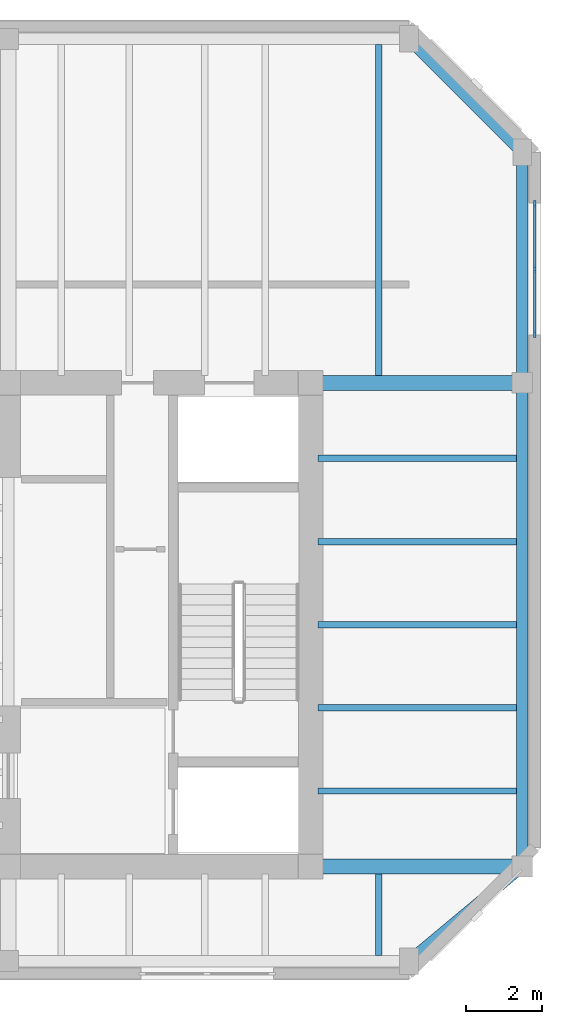
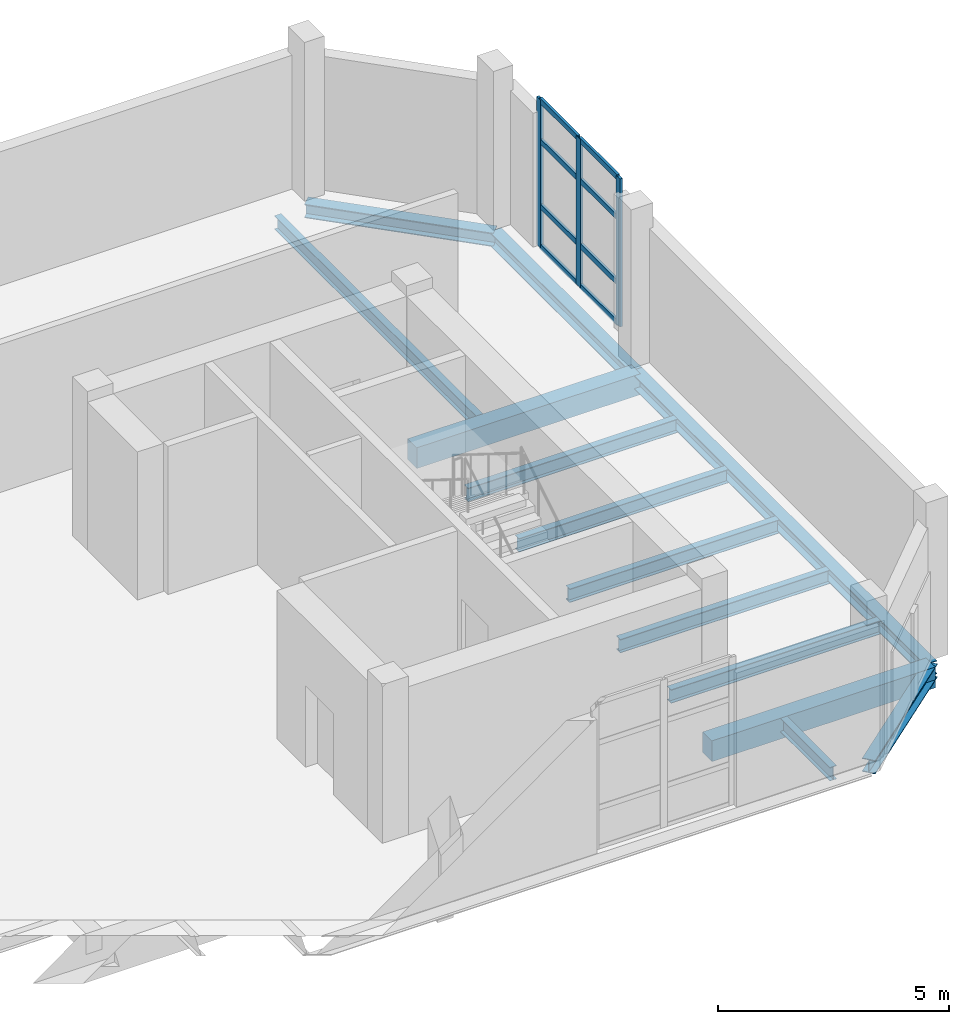
# One storey, part 4 of 8: 13 beams, 11 members, 1 element without a shape of its own.
"""IFC4 building model written with IfcOpenShell, lengths in metres."""

from ifc_helpers import new_model, si_unit, direction, frame, origin, origin_2d, place, context, subcontext, project, spatial, rectangle, i_section, extrude, material, layer, layer_set, material_profile, profile_set, type_object, element, aggregate, save


model = new_model("IFC4")

# Units and contexts
model_context = context("Model", 3, precision=1e-05, world=origin(), true_north=direction((0.0, 1.0)))
body_context = subcontext(model_context, "Body", "Model", "MODEL_VIEW")
ifc_project = project(units=[si_unit("LENGTHUNIT", "METRE"), si_unit("AREAUNIT", "SQUARE_METRE"), si_unit("VOLUMEUNIT", "CUBIC_METRE"), si_unit("PLANEANGLEUNIT", "RADIAN"), si_unit("MASSUNIT", "GRAM", prefix="KILO")], contexts=[model_context])

# Site, building, storey
site_placement = place(None, origin())
site = spatial("IfcSite", under=ifc_project, at=site_placement, CompositionType="ELEMENT")
building_placement = place(site_placement, origin())
building = spatial("IfcBuilding", under=site, at=building_placement, Name="Kranthara Brick Stack", CompositionType="ELEMENT")
storey_placement = place(building_placement, frame((0.0, 0.0, 300.60009765625)))
storey = spatial("IfcBuildingStorey", under=building, at=storey_placement, Name="L79", CompositionType="ELEMENT", Elevation=300.60009765625)

# Beams
ifc_material_1 = material(Name="Post-tensioned concrete C45/55", Category="concrete")
ifc_material_profile_1 = material_profile(ifc_material_1, rectangle(XDim=0.39990234375, YDim=0.550048828125, at=origin_2d()), Name="PT 400x550")
ifc_profile_set_1 = profile_set([ifc_material_profile_1], Name="Post-tensioned concrete C45/55")
beam_type_1 = type_object("IfcBeamType", Name="BM-FLR-PT550", PredefinedType="BEAM", material=ifc_profile_set_1)
for number, where, z_axis, x_axis, name in (
    (1, (43.199951171875, 20.800048828125, -0.55517578125), (1.0, 0.0, 0.0), (0.0, 1.0, 0.0), "L79 Primary Grid Girder 029"),
    (2, (43.199951171875, 33.60009765625, -0.55517578125), (1.0, 0.0, 0.0), (0.0, 1.0, 0.0), "L79 Primary Grid Girder 031"),
):
    element("IfcBeam", number, at=place(storey_placement, frame(where, z_axis=z_axis, x_axis=x_axis)), inside=storey, type_object=beam_type_1, Name=name, PredefinedType="BEAM", context=body_context, shape_type="SweptSolid", body=[
        extrude(rectangle(XDim=0.39990234375, YDim=0.550048828125, at=origin_2d()), origin(), (0.0, 0.0, 1.0), 5.60009765625),
    ])
ifc_material_2 = material(Name="Steel S355", Category="steel")
ifc_material_profile_2 = material_profile(ifc_material_2, i_section(OverallWidth=0.169921875, OverallDepth=0.360107421875, WebThickness=0.008056640625, FlangeThickness=0.0126953125, at=origin_2d()), Name="IPE 360")
ifc_profile_set_2 = profile_set([ifc_material_profile_2], Name="Steel S355")
beam_type_2 = type_object("IfcBeamType", Name="BM-JST-IPE360", PredefinedType="JOIST", material=ifc_profile_set_2)
beam_1_placement = place(storey_placement, frame((45.0, 18.449951171875, -0.460205078125), z_axis=(0.0, 1.0, 0.0), x_axis=(-1.0, 0.0, 0.0)))
element("IfcBeam", 3, at=beam_1_placement, inside=storey, type_object=beam_type_2, Name="L79 South Wing Floor Joist 076", PredefinedType="JOIST", context=body_context, shape_type="SweptSolid", body=[
    extrude(i_section(OverallWidth=0.169921875, OverallDepth=0.360107421875, WebThickness=0.008056640625, FlangeThickness=0.0126953125, at=origin_2d()), origin(), (0.0, 0.0, 1.0), 2.150146484375),
])
beam_2_placement = place(storey_placement, frame((45.0, 33.800048828125, -0.460205078125), z_axis=(0.0, 1.0, 0.0), x_axis=(-1.0, 0.0, 0.0)))
element("IfcBeam", 4, at=beam_2_placement, inside=storey, type_object=beam_type_2, Name="L79 North Wing Floor Joist 077", PredefinedType="JOIST", context=body_context, shape_type="SweptSolid", body=[
    extrude(i_section(OverallWidth=0.169921875, OverallDepth=0.360107421875, WebThickness=0.008056640625, FlangeThickness=0.0126953125, at=origin_2d()), origin(), (0.0, 0.0, 1.0), 8.75),
])
for number, where, z_axis, x_axis, name in (
    (5, (43.39990234375, 22.800048828125, -0.460205078125), (1.0, 0.0, 0.0), (0.0, 1.0, 0.0), "L79 East Wing Floor Joist 079"),
    (6, (43.39990234375, 25.0, -0.460205078125), (1.0, 0.0, 0.0), (0.0, 1.0, 0.0), "L79 East Wing Floor Joist 081"),
    (7, (43.39990234375, 27.199951171875, -0.460205078125), (1.0, 0.0, 0.0), (0.0, 1.0, 0.0), "L79 East Wing Floor Joist 083"),
    (8, (43.39990234375, 29.39990234375, -0.460205078125), (1.0, 0.0, 0.0), (0.0, 1.0, 0.0), "L79 East Wing Floor Joist 085"),
    (9, (43.39990234375, 31.60009765625, -0.460205078125), (1.0, 0.0, 0.0), (0.0, 1.0, 0.0), "L79 East Wing Floor Joist 087"),
):
    element("IfcBeam", number, at=place(storey_placement, frame(where, z_axis=z_axis, x_axis=x_axis)), inside=storey, type_object=beam_type_2, Name=name, PredefinedType="JOIST", context=body_context, shape_type="SweptSolid", body=[
        extrude(i_section(OverallWidth=0.169921875, OverallDepth=0.360107421875, WebThickness=0.008056640625, FlangeThickness=0.0126953125, at=origin_2d()), origin(), (0.0, 0.0, 1.0), 5.25),
    ])
ifc_material_3 = material(Name="Steel S355", Category="steel")
ifc_material_profile_3 = material_profile(ifc_material_3, i_section(OverallWidth=0.300048828125, OverallDepth=0.360107421875, WebThickness=0.012451171875, FlangeThickness=0.0224609375, at=origin_2d()), Name="HEB 360")
ifc_profile_set_3 = profile_set([ifc_material_profile_3], Name="Steel S355")
beam_type_3 = type_object("IfcBeamType", Name="BM-STL-HEB360", PredefinedType="SPANDREL", material=ifc_profile_set_3)
beam_3_placement = place(storey_placement, frame((48.800048828125, 20.800048828125, -0.460205078125), z_axis=(0.0, 1.0, 0.0), x_axis=(-1.0, 0.0, 0.0)))
element("IfcBeam", 10, at=beam_3_placement, inside=storey, type_object=beam_type_3, Name="L79 Perimeter Spandrel Beam 015", PredefinedType="SPANDREL", context=body_context, shape_type="SweptSolid", body=[
    extrude(i_section(OverallWidth=0.300048828125, OverallDepth=0.360107421875, WebThickness=0.012451171875, FlangeThickness=0.0224609375, at=origin_2d()), origin(), (0.0, 0.0, 1.0), 12.800048828125),
])
beam_4_placement = place(storey_placement, frame((48.800048828125, 33.60009765625, -0.460205078125), z_axis=(0.0, 1.0, 0.0), x_axis=(-1.0, 0.0, 0.0)))
element("IfcBeam", 11, at=beam_4_placement, inside=storey, type_object=beam_type_3, Name="L79 Perimeter Spandrel Beam 016", PredefinedType="SPANDREL", context=body_context, shape_type="SweptSolid", body=[
    extrude(i_section(OverallWidth=0.300048828125, OverallDepth=0.360107421875, WebThickness=0.012451171875, FlangeThickness=0.0224609375, at=origin_2d()), origin(), (0.0, 0.0, 1.0), 6.099853515625),
])
beam_5_placement = place(storey_placement, frame((45.800048828125, 18.300048828125, -0.460205078125), z_axis=(0.768221279597, 0.640184399664, 0.0), x_axis=(-0.640184399664, 0.768221279597, 0.0)))
element("IfcBeam", 12, at=beam_5_placement, inside=storey, type_object=beam_type_3, Name="L79 Chamfer Corner Spandrel 018", PredefinedType="SPANDREL", context=body_context, shape_type="SweptSolid", body=[
    extrude(i_section(OverallWidth=0.300048828125, OverallDepth=0.360107421875, WebThickness=0.012451171875, FlangeThickness=0.0224609375, at=origin_2d()), origin(), (0.0, 0.0, 1.0), 3.905029296875),
])
beam_6_placement = place(storey_placement, frame((45.800048828125, 42.699951171875, -0.460205078125), z_axis=(0.707106781187, -0.707106781187, 0.0), x_axis=(0.707106781187, 0.707106781187, 0.0)))
element("IfcBeam", 13, at=beam_6_placement, inside=storey, type_object=beam_type_3, Name="L79 Chamfer Corner Spandrel 020", PredefinedType="SPANDREL", context=body_context, shape_type="SweptSolid", body=[
    extrude(i_section(OverallWidth=0.300048828125, OverallDepth=0.360107421875, WebThickness=0.012451171875, FlangeThickness=0.0224609375, at=origin_2d()), origin(), (0.0, 0.0, 1.0), 4.24267578125),
])

# Curtain wall, members
ifc_material_4 = material(Name="Bronze anodised aluminium and low-E glass", Category="aluminium")
ifc_layer = layer(ifc_material_4, 0.25)
ifc_layer_set = layer_set([ifc_layer], Name="Bronze anodised aluminium and low-E glass")
curtain_wall_type = type_object("IfcCurtainWallType", Name="CW-SYS6-CROWN", PredefinedType="USERDEFINED", material=ifc_layer_set)
curtain_wall_placement = place(storey_placement, origin())
curtain_wall = element("IfcCurtainWall", 14, at=curtain_wall_placement, inside=storey, type_object=curtain_wall_type, Name="L79 Curtain Wall CW6-L79-03", ObjectType="UNITISED CURTAIN WALL", PredefinedType="USERDEFINED")
ifc_material_5 = material(Name="Bronze anodised aluminium 6063-T6", Category="aluminium")
ifc_material_profile_4 = material_profile(ifc_material_5, rectangle(XDim=0.06494140625, YDim=0.179931640625, at=origin_2d()), Name="ALU MULLION 65x180")
ifc_profile_set_4 = profile_set([ifc_material_profile_4], Name="Bronze anodised aluminium 6063-T6")
member_type_1 = type_object("IfcMemberType", Name="CWM-65x180", PredefinedType="MULLION", material=ifc_profile_set_4)
member_1_placement = place(storey_placement, frame((49.1298828125, 38.32958984375, 0.0), z_axis=(0.0, 0.0, 1.0), x_axis=(1.0, 0.0, 0.0)))
member_1 = element("IfcMember", 15, at=member_1_placement, type_object=member_type_1, Name="CW mullion 1", PredefinedType="MULLION", context=body_context, shape_type="SweptSolid", body=[
    extrude(rectangle(XDim=0.06494140625, YDim=0.179931640625, at=origin_2d()), origin(), (0.0, 0.0, 1.0), 3.919921875),
])
member_2_placement = place(storey_placement, frame((49.1298828125, 36.612060546875, 0.0), z_axis=(0.0, 0.0, 1.0), x_axis=(1.0, 0.0, 0.0)))
member_2 = element("IfcMember", 16, at=member_2_placement, type_object=member_type_1, Name="CW mullion 2", PredefinedType="MULLION", context=body_context, shape_type="SweptSolid", body=[
    extrude(rectangle(XDim=0.06494140625, YDim=0.179931640625, at=origin_2d()), origin(), (0.0, 0.0, 1.0), 3.919921875),
])
member_3_placement = place(storey_placement, frame((49.1298828125, 34.89453125, 0.0), z_axis=(0.0, 0.0, 1.0), x_axis=(1.0, 0.0, 0.0)))
member_3 = element("IfcMember", 17, at=member_3_placement, type_object=member_type_1, Name="CW mullion 3", PredefinedType="MULLION", context=body_context, shape_type="SweptSolid", body=[
    extrude(rectangle(XDim=0.06494140625, YDim=0.179931640625, at=origin_2d()), origin(), (0.0, 0.0, 1.0), 3.919921875),
])
ifc_material_6 = material(Name="Bronze anodised aluminium 6063-T6", Category="aluminium")
ifc_material_profile_5 = material_profile(ifc_material_6, rectangle(XDim=0.06494140625, YDim=0.139892578125, at=origin_2d()), Name="ALU TRANSOM 65x140")
ifc_profile_set_5 = profile_set([ifc_material_profile_5], Name="Bronze anodised aluminium 6063-T6")
member_type_2 = type_object("IfcMemberType", Name="CWT-65x140", PredefinedType="USERDEFINED", material=ifc_profile_set_5)
member_4_placement = place(storey_placement, frame((49.1298828125, 38.297119140625, 0.032470703125), z_axis=(0.0, -1.0, 0.0), x_axis=(1.0, 0.0, 0.0)))
member_4 = element("IfcMember", 18, at=member_4_placement, type_object=member_type_2, Name="CW transom 1.1", ObjectType="TRANSOM", PredefinedType="USERDEFINED", context=body_context, shape_type="SweptSolid", body=[
    extrude(rectangle(XDim=0.06494140625, YDim=0.139892578125, at=origin_2d()), origin(), (0.0, 0.0, 1.0), 1.652587890625),
])
member_5_placement = place(storey_placement, frame((49.1298828125, 38.297119140625, 1.097412109375), z_axis=(0.0, -1.0, 0.0), x_axis=(1.0, 0.0, 0.0)))
member_5 = element("IfcMember", 19, at=member_5_placement, type_object=member_type_2, Name="CW transom 1.2", ObjectType="TRANSOM", PredefinedType="USERDEFINED", context=body_context, shape_type="SweptSolid", body=[
    extrude(rectangle(XDim=0.06494140625, YDim=0.139892578125, at=origin_2d()), origin(), (0.0, 0.0, 1.0), 1.652587890625),
])
member_6_placement = place(storey_placement, frame((49.1298828125, 38.297119140625, 2.822265625), z_axis=(0.0, -1.0, 0.0), x_axis=(1.0, 0.0, 0.0)))
member_6 = element("IfcMember", 20, at=member_6_placement, type_object=member_type_2, Name="CW transom 1.3", ObjectType="TRANSOM", PredefinedType="USERDEFINED", context=body_context, shape_type="SweptSolid", body=[
    extrude(rectangle(XDim=0.06494140625, YDim=0.139892578125, at=origin_2d()), origin(), (0.0, 0.0, 1.0), 1.652587890625),
])
member_7_placement = place(storey_placement, frame((49.1298828125, 38.297119140625, 3.887451171875), z_axis=(0.0, -1.0, 0.0), x_axis=(1.0, 0.0, 0.0)))
member_7 = element("IfcMember", 21, at=member_7_placement, type_object=member_type_2, Name="CW transom 1.4", ObjectType="TRANSOM", PredefinedType="USERDEFINED", context=body_context, shape_type="SweptSolid", body=[
    extrude(rectangle(XDim=0.06494140625, YDim=0.139892578125, at=origin_2d()), origin(), (0.0, 0.0, 1.0), 1.652587890625),
])
member_8_placement = place(storey_placement, frame((49.1298828125, 36.57958984375, 0.032470703125), z_axis=(0.0, -1.0, 0.0), x_axis=(1.0, 0.0, 0.0)))
member_8 = element("IfcMember", 22, at=member_8_placement, type_object=member_type_2, Name="CW transom 2.1", ObjectType="TRANSOM", PredefinedType="USERDEFINED", context=body_context, shape_type="SweptSolid", body=[
    extrude(rectangle(XDim=0.06494140625, YDim=0.139892578125, at=origin_2d()), origin(), (0.0, 0.0, 1.0), 1.652587890625),
])
member_9_placement = place(storey_placement, frame((49.1298828125, 36.57958984375, 1.097412109375), z_axis=(0.0, -1.0, 0.0), x_axis=(1.0, 0.0, 0.0)))
member_9 = element("IfcMember", 23, at=member_9_placement, type_object=member_type_2, Name="CW transom 2.2", ObjectType="TRANSOM", PredefinedType="USERDEFINED", context=body_context, shape_type="SweptSolid", body=[
    extrude(rectangle(XDim=0.06494140625, YDim=0.139892578125, at=origin_2d()), origin(), (0.0, 0.0, 1.0), 1.652587890625),
])
member_10_placement = place(storey_placement, frame((49.1298828125, 36.57958984375, 2.822265625), z_axis=(0.0, -1.0, 0.0), x_axis=(1.0, 0.0, 0.0)))
member_10 = element("IfcMember", 24, at=member_10_placement, type_object=member_type_2, Name="CW transom 2.3", ObjectType="TRANSOM", PredefinedType="USERDEFINED", context=body_context, shape_type="SweptSolid", body=[
    extrude(rectangle(XDim=0.06494140625, YDim=0.139892578125, at=origin_2d()), origin(), (0.0, 0.0, 1.0), 1.652587890625),
])
member_11_placement = place(storey_placement, frame((49.1298828125, 36.57958984375, 3.887451171875), z_axis=(0.0, -1.0, 0.0), x_axis=(1.0, 0.0, 0.0)))
member_11 = element("IfcMember", 25, at=member_11_placement, type_object=member_type_2, Name="CW transom 2.4", ObjectType="TRANSOM", PredefinedType="USERDEFINED", context=body_context, shape_type="SweptSolid", body=[
    extrude(rectangle(XDim=0.06494140625, YDim=0.139892578125, at=origin_2d()), origin(), (0.0, 0.0, 1.0), 1.652587890625),
])
aggregate(curtain_wall, [member_1, member_2, member_3, member_4, member_5, member_6, member_7, member_8, member_9, member_10, member_11])

save(model, "model.ifc")
